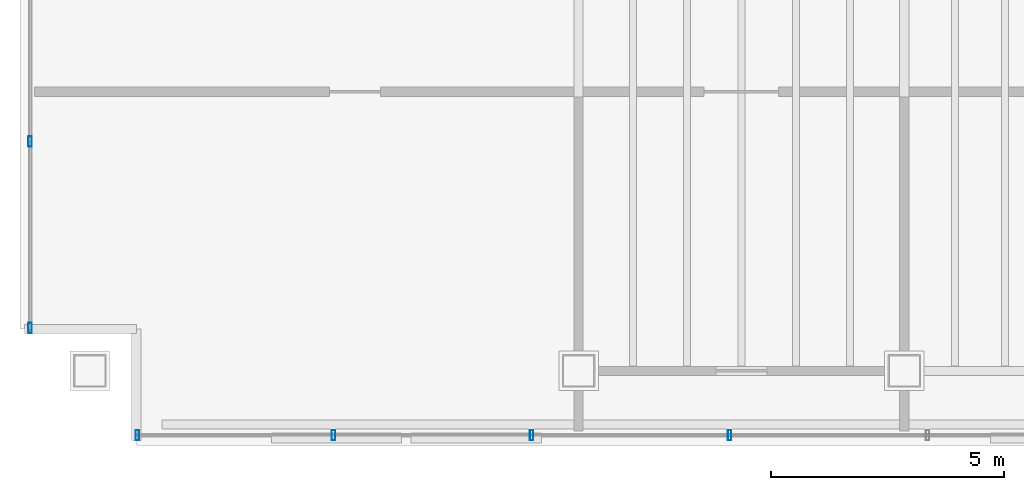
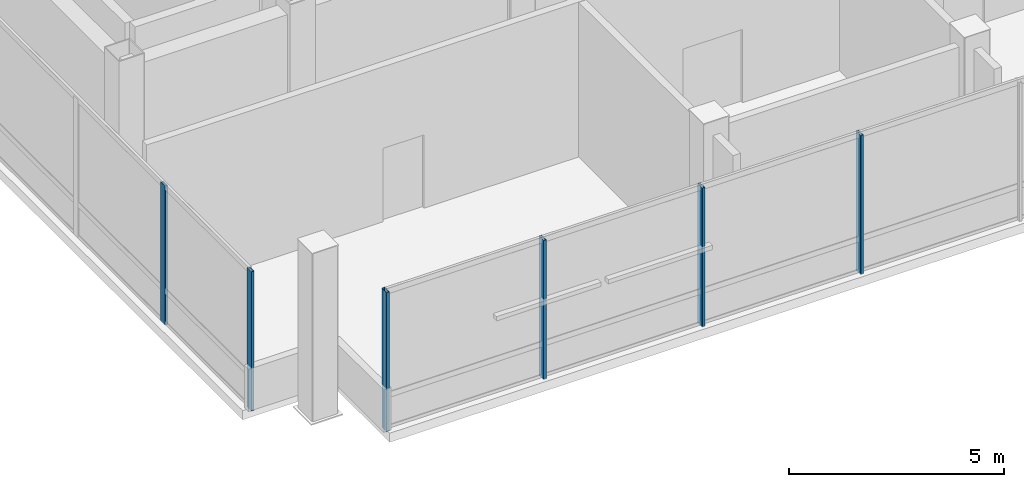
# One storey, part 3 of 20: 6 members, 2 elements without a shape of their own.
"""IFC4 building model written with IfcOpenShell, lengths in metres."""

import ifcopenshell
import ifcopenshell.guid

model = None  # the IFC model being written
_history = None  # IfcOwnerHistory: only IFC2X3 demands one
_inside = {}  # id of a spatial element -> (the spatial element, [elements in it])
_under = {}  # id of a project, library or spatial element -> (it, [spatial elements below it])
_declared = {}  # id of a project -> (the project, [libraries it declares])
_typed = {}  # id of a type object -> (the type object, [elements of that type])
_made_of = {}  # id of a material, layer set ... -> (it, [elements and type objects made of it])


def new_model(schema):
    """Start an empty IFC model of exactly this schema.

    Asked for "IFC4X3", IfcOpenShell would pick the latest addendum, in which some entities
    have other attributes; the version numbers below select the first issue.
    IFC2X3 requires an IfcOwnerHistory on every rooted entity: one is made here for all.
    """
    global model, _history
    if schema == "IFC4X3":
        model = ifcopenshell.file(schema_version=(4, 3, 0, 0))
    else:
        model = ifcopenshell.file(schema=schema)
    _inside.clear()
    _under.clear()
    _declared.clear()
    _typed.clear()
    _made_of.clear()
    _history = None
    if model.schema == "IFC2X3":
        org = make("IfcOrganization", Name="unknown")
        user = make(
            "IfcPersonAndOrganization",
            ThePerson=make("IfcPerson", FamilyName="unknown"),
            TheOrganization=org,
        )
        app = make(
            "IfcApplication",
            ApplicationDeveloper=org,
            Version="unknown",
            ApplicationFullName="unknown",
            ApplicationIdentifier="unknown",
        )
        _history = make(
            "IfcOwnerHistory",
            OwningUser=user,
            OwningApplication=app,
            ChangeAction="ADDED",
            CreationDate=0,
        )
    return model


def make(cls, **values):
    """One entity of the class cls with the attributes given. An attribute that is None is left unset."""
    return model.create_entity(
        cls, **{name: value for name, value in values.items() if value is not None}
    )


def rooted(cls, **values):
    """An entity with a GlobalId (a new one), such as an element, a storey or a relation."""
    return make(cls, GlobalId=ifcopenshell.guid.new(), OwnerHistory=_history, **values)


def si_unit(unit_type, name, prefix=None):
    """IfcSIUnit, for example si_unit("LENGTHUNIT", "METRE", prefix="MILLI")."""
    return make("IfcSIUnit", UnitType=unit_type, Prefix=prefix, Name=name)


def assignment(units):
    """IfcUnitAssignment: the units of a project."""
    return None if units is None else make("IfcUnitAssignment", Units=units)


def point(xyz):
    """IfcCartesianPoint."""
    return None if xyz is None else make("IfcCartesianPoint", Coordinates=xyz)


def direction(xyz):
    """IfcDirection."""
    return None if xyz is None else make("IfcDirection", DirectionRatios=xyz)


def frame(location, z_axis=None, x_axis=None):
    """IfcAxis2Placement3D, a coordinate frame: its origin and axes. An axis left out is left unset."""
    return make(
        "IfcAxis2Placement3D",
        Location=point(location),
        Axis=direction(z_axis),
        RefDirection=direction(x_axis),
    )


def frame_2d(location, x_axis=None):
    """IfcAxis2Placement2D, a coordinate frame in the plane: its origin and x axis."""
    return make(
        "IfcAxis2Placement2D", Location=point(location), RefDirection=direction(x_axis)
    )


def origin():
    """The frame at (0, 0, 0) with its axes left unset."""
    return frame((0.0, 0.0, 0.0))


def origin_2d():
    """The frame at (0, 0) in the plane with its x axis left unset."""
    return frame_2d((0.0, 0.0))


def place(relative_to, where):
    """IfcLocalPlacement: puts the frame where relative to a parent placement (None: the world)."""
    return make(
        "IfcLocalPlacement", PlacementRelTo=relative_to, RelativePlacement=where
    )


def context(
    kind, dimensions, precision=None, world=None, true_north=None, identifier=None
):
    """IfcGeometricRepresentationContext, for example the 3D "Model" context."""
    return make(
        "IfcGeometricRepresentationContext",
        ContextIdentifier=identifier,
        ContextType=kind,
        CoordinateSpaceDimension=dimensions,
        Precision=precision,
        WorldCoordinateSystem=world,
        TrueNorth=true_north,
    )


def subcontext(parent, identifier, kind, view, scale=None):
    """IfcGeometricRepresentationSubContext, for example "Body" below "Model"."""
    return make(
        "IfcGeometricRepresentationSubContext",
        ContextIdentifier=identifier,
        ContextType=kind,
        ParentContext=parent,
        TargetScale=scale,
        TargetView=view,
    )


def project(units=None, contexts=None):
    """IfcProject with its units and contexts."""
    return rooted(
        "IfcProject",
        Name="project",
        RepresentationContexts=contexts,
        UnitsInContext=assignment(units),
    )


def spatial(cls, under=None, at=None, **own):
    """A site, building, storey or space (cls), placed at a placement, below another one or the project."""
    s = rooted(cls, ObjectPlacement=at, **own)
    if under is not None:
        _under.setdefault(under.id(), (under, []))[1].append(s)
    return s


def profile(cls, at=None, kind="AREA", **sizes):
    """A parametric profile (cls). Its sizes go by their IFC names, for example OverallWidth=200.0."""
    return make(cls, ProfileType=kind, Position=at, **sizes)


def hollow_rectangle(**sizes):
    """IfcRectangleHollowProfileDef."""
    return profile("IfcRectangleHollowProfileDef", **sizes)


def extrude(swept, where, along, depth):
    """IfcExtrudedAreaSolid: the profile swept, set in the frame where, extruded along a direction by depth."""
    return make(
        "IfcExtrudedAreaSolid",
        SweptArea=swept,
        Position=where,
        ExtrudedDirection=direction(along),
        Depth=depth,
    )


def shape(context_of_items, identifier, shape_type, items):
    """IfcShapeRepresentation: the items that make up one representation, for example the "Body"."""
    return make(
        "IfcShapeRepresentation",
        ContextOfItems=context_of_items,
        RepresentationIdentifier=identifier,
        RepresentationType=shape_type,
        Items=items,
    )


def material(Name=None, Category=None):
    """IfcMaterial."""
    return make("IfcMaterial", Name=Name, Category=Category)


def material_profile(
    of_material, cross_section, Name=None, Category=None, Priority=None
):
    """IfcMaterialProfile: a cross section and its material."""
    return make(
        "IfcMaterialProfile",
        Name=Name,
        Material=of_material,
        Profile=cross_section,
        Priority=Priority,
        Category=Category,
    )


def profile_set(profiles, Name=None, composite=None):
    """IfcMaterialProfileSet."""
    return make(
        "IfcMaterialProfileSet",
        Name=Name,
        MaterialProfiles=profiles,
        CompositeProfile=composite,
    )


def made_of(thing, what):
    """Note that an element or type object is made of a material, layer set ...; save() writes the relation."""
    if what is not None:
        _made_of.setdefault(what.id(), (what, []))[1].append(thing)
    return thing


def type_object(cls, material=None, **own):
    """A type object (cls), such as IfcWallType, which elements share."""
    return made_of(rooted(cls, **own), material)


def element(
    cls,
    number,
    at=None,
    inside=None,
    cuts=None,
    type_object=None,
    material=None,
    context=None,
    identifier="Body",
    shape_type=None,
    held_by="IfcProductDefinitionShape",
    body=None,
    shapes=None,
    **own,
):
    """One element of the class cls, such as IfcWall. Its Tag is "e" and its number.

    at: its placement. inside: the storey or other place that contains it. cuts: it is an
    opening in that element (IfcRelVoidsElement). A single representation is given by context,
    identifier, shape_type and body (its items); several are given by shapes. held_by: the class
    of the entity that holds the representations. save() writes the other relations.
    """
    e = rooted(cls, Tag="e%d" % number, ObjectPlacement=at, **own)
    if body is not None:
        shapes = [shape(context, identifier, shape_type, body)]
    if shapes is not None:
        e.Representation = make(held_by, Representations=shapes)
    if inside is not None:
        _inside.setdefault(inside.id(), (inside, []))[1].append(e)
    if cuts is not None:
        rooted(
            "IfcRelVoidsElement", RelatingBuildingElement=cuts, RelatedOpeningElement=e
        )
    if type_object is not None:
        _typed.setdefault(type_object.id(), (type_object, []))[1].append(e)
    return made_of(e, material)


def aggregate(whole, parts):
    """IfcRelAggregates: a whole, such as a stair, and the parts it consists of."""
    return rooted("IfcRelAggregates", RelatingObject=whole, RelatedObjects=parts)


def save(model, path):
    """Write the relations noted so far, then the file.

    IfcRelAggregates (storeys below a building ...), IfcRelContainedInSpatialStructure (elements
    in a storey), IfcRelDefinesByType, IfcRelAssociatesMaterial and IfcRelDeclares: one each for
    every whole, place, type object, material and project.
    """
    for whole, parts in _under.values():
        aggregate(whole, parts)
    for where, things in _inside.values():
        rooted(
            "IfcRelContainedInSpatialStructure",
            RelatedElements=things,
            RelatingStructure=where,
        )
    for kind, things in _typed.values():
        rooted("IfcRelDefinesByType", RelatedObjects=things, RelatingType=kind)
    for what, things in _made_of.values():
        rooted("IfcRelAssociatesMaterial", RelatedObjects=things, RelatingMaterial=what)
    for by, libraries in _declared.values():
        rooted("IfcRelDeclares", RelatingContext=by, RelatedDefinitions=libraries)
    model.write(path)


model = new_model("IFC4")

# Units and contexts
model_context = context("Model", 3, precision=1e-05, world=origin(), true_north=direction((0.0, 1.0)))
body_context = subcontext(model_context, "Body", "Model", "MODEL_VIEW")
ifc_project = project(units=[si_unit("LENGTHUNIT", "METRE"), si_unit("AREAUNIT", "SQUARE_METRE"), si_unit("VOLUMEUNIT", "CUBIC_METRE"), si_unit("PLANEANGLEUNIT", "RADIAN"), si_unit("MASSUNIT", "GRAM", prefix="KILO")], contexts=[model_context])

# Site, building, storey
site_placement = place(None, origin())
site = spatial("IfcSite", under=ifc_project, at=site_placement, CompositionType="ELEMENT")
building_placement = place(site_placement, origin())
building = spatial("IfcBuilding", under=site, at=building_placement, Name="Noeulbin Bourse Tower", CompositionType="ELEMENT")
storey_placement = place(building_placement, frame((0.0, 0.0, 312.60009765625)))
storey = spatial("IfcBuildingStorey", under=building, at=storey_placement, Name="L77", CompositionType="ELEMENT", Elevation=312.60009765625)

# Curtain wall, members
ifc_material_1 = material(Name="High-Selectivity Low-Iron Glazing", Category="glass")
curtain_wall_type = type_object("IfcCurtainWallType", Name="CW-SYS-4", PredefinedType="NOTDEFINED", material=ifc_material_1)
curtain_wall_1_placement = place(storey_placement, origin())
curtain_wall_1 = element("IfcCurtainWall", 1, at=curtain_wall_1_placement, inside=storey, type_object=curtain_wall_type, Name="Unitised Curtain Wall CW-L77-S1", PredefinedType="NOTDEFINED")
ifc_material_2 = material(Name="Anodised Aluminium 6063-T6", Category="aluminium")
ifc_material_profile = material_profile(ifc_material_2, hollow_rectangle(XDim=0.074951171875, YDim=0.219970703125, WallThickness=0.0048828125, InnerFilletRadius=0.00244140625, OuterFilletRadius=0.0048828125, at=origin_2d()), Name="ALU-MULL-75x220x5", Category="LoadBearing")
ifc_profile_set = profile_set([ifc_material_profile], Name="Anodised Aluminium 6063-T6")
member_type = type_object("IfcMemberType", Name="CW-SYS-4-MUL", PredefinedType="MULLION", material=ifc_profile_set)
member_1_placement = place(storey_placement, frame((14.52001953125, 18.6201171875, -0.02001953125), z_axis=(0.0, 0.0, 1.0), x_axis=(1.0, 0.0, 0.0)))
member_1 = element("IfcMember", 2, at=member_1_placement, type_object=member_type, Name="Curtain Wall Mullion CW-L77-S1-M00", PredefinedType="MULLION", context=body_context, shape_type="SweptSolid", body=[
    extrude(hollow_rectangle(XDim=0.074951171875, YDim=0.219970703125, WallThickness=0.0048828125, InnerFilletRadius=0.00244140625, OuterFilletRadius=0.0048828125, at=origin_2d()), origin(), (0.0, 0.0, 1.0), 3.949951171875),
])
member_2_placement = place(storey_placement, frame((18.735107421875, 18.6201171875, -0.02001953125), z_axis=(0.0, 0.0, 1.0), x_axis=(1.0, 0.0, 0.0)))
member_2 = element("IfcMember", 3, at=member_2_placement, type_object=member_type, Name="Curtain Wall Mullion CW-L77-S1-M01", PredefinedType="MULLION", context=body_context, shape_type="SweptSolid", body=[
    extrude(hollow_rectangle(XDim=0.074951171875, YDim=0.219970703125, WallThickness=0.0048828125, InnerFilletRadius=0.00244140625, OuterFilletRadius=0.0048828125, at=origin_2d()), origin(), (0.0, 0.0, 1.0), 3.949951171875),
])
member_3_placement = place(storey_placement, frame((22.989990234375, 18.6201171875, -0.02001953125), z_axis=(0.0, 0.0, 1.0), x_axis=(1.0, 0.0, 0.0)))
member_3 = element("IfcMember", 4, at=member_3_placement, type_object=member_type, Name="Curtain Wall Mullion CW-L77-S1-M02", PredefinedType="MULLION", context=body_context, shape_type="SweptSolid", body=[
    extrude(hollow_rectangle(XDim=0.074951171875, YDim=0.219970703125, WallThickness=0.0048828125, InnerFilletRadius=0.00244140625, OuterFilletRadius=0.0048828125, at=origin_2d()), origin(), (0.0, 0.0, 1.0), 3.949951171875),
])
member_4_placement = place(storey_placement, frame((27.2451171875, 18.6201171875, -0.02001953125), z_axis=(0.0, 0.0, 1.0), x_axis=(1.0, 0.0, 0.0)))
member_4 = element("IfcMember", 5, at=member_4_placement, type_object=member_type, Name="Curtain Wall Mullion CW-L77-S1-M03", PredefinedType="MULLION", context=body_context, shape_type="SweptSolid", body=[
    extrude(hollow_rectangle(XDim=0.074951171875, YDim=0.219970703125, WallThickness=0.0048828125, InnerFilletRadius=0.00244140625, OuterFilletRadius=0.0048828125, at=origin_2d()), origin(), (0.0, 0.0, 1.0), 3.949951171875),
])
aggregate(curtain_wall_1, [member_1, member_2, member_3, member_4])

curtain_wall_2_placement = place(storey_placement, origin())
curtain_wall_2 = element("IfcCurtainWall", 6, at=curtain_wall_2_placement, inside=storey, type_object=curtain_wall_type, Name="Unitised Curtain Wall CW-L77-W", PredefinedType="NOTDEFINED")
member_5_placement = place(storey_placement, frame((12.219970703125, 20.919921875, -0.02001953125), z_axis=(0.0, 0.0, 1.0), x_axis=(1.0, 0.0, 0.0)))
member_5 = element("IfcMember", 7, at=member_5_placement, type_object=member_type, Name="Curtain Wall Mullion CW-L77-W-M00", PredefinedType="MULLION", context=body_context, shape_type="SweptSolid", body=[
    extrude(hollow_rectangle(XDim=0.074951171875, YDim=0.219970703125, WallThickness=0.0048828125, InnerFilletRadius=0.00244140625, OuterFilletRadius=0.0048828125, at=origin_2d()), origin(), (0.0, 0.0, 1.0), 3.949951171875),
])
member_6_placement = place(storey_placement, frame((12.219970703125, 24.927978515625, -0.02001953125), z_axis=(0.0, 0.0, 1.0), x_axis=(1.0, 0.0, 0.0)))
member_6 = element("IfcMember", 8, at=member_6_placement, type_object=member_type, Name="Curtain Wall Mullion CW-L77-W-M01", PredefinedType="MULLION", context=body_context, shape_type="SweptSolid", body=[
    extrude(hollow_rectangle(XDim=0.074951171875, YDim=0.219970703125, WallThickness=0.0048828125, InnerFilletRadius=0.00244140625, OuterFilletRadius=0.0048828125, at=origin_2d()), origin(), (0.0, 0.0, 1.0), 3.949951171875),
])
aggregate(curtain_wall_2, [member_5, member_6])

save(model, "model.ifc")
